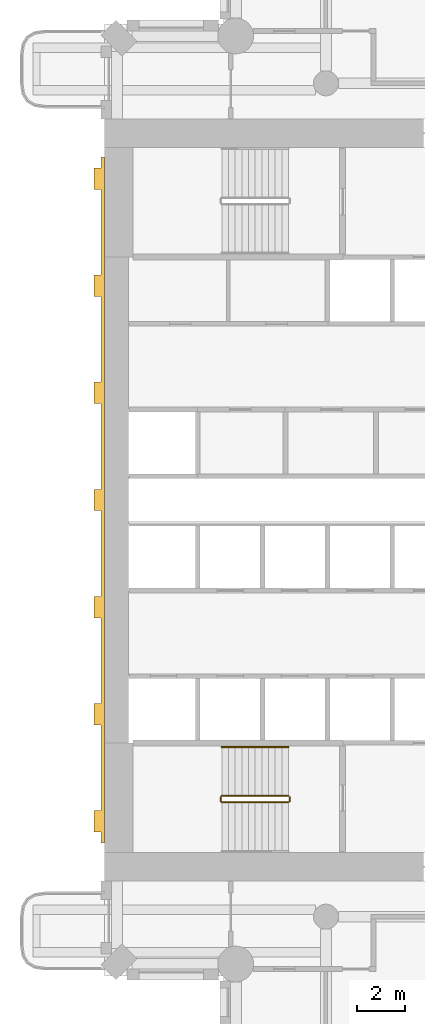
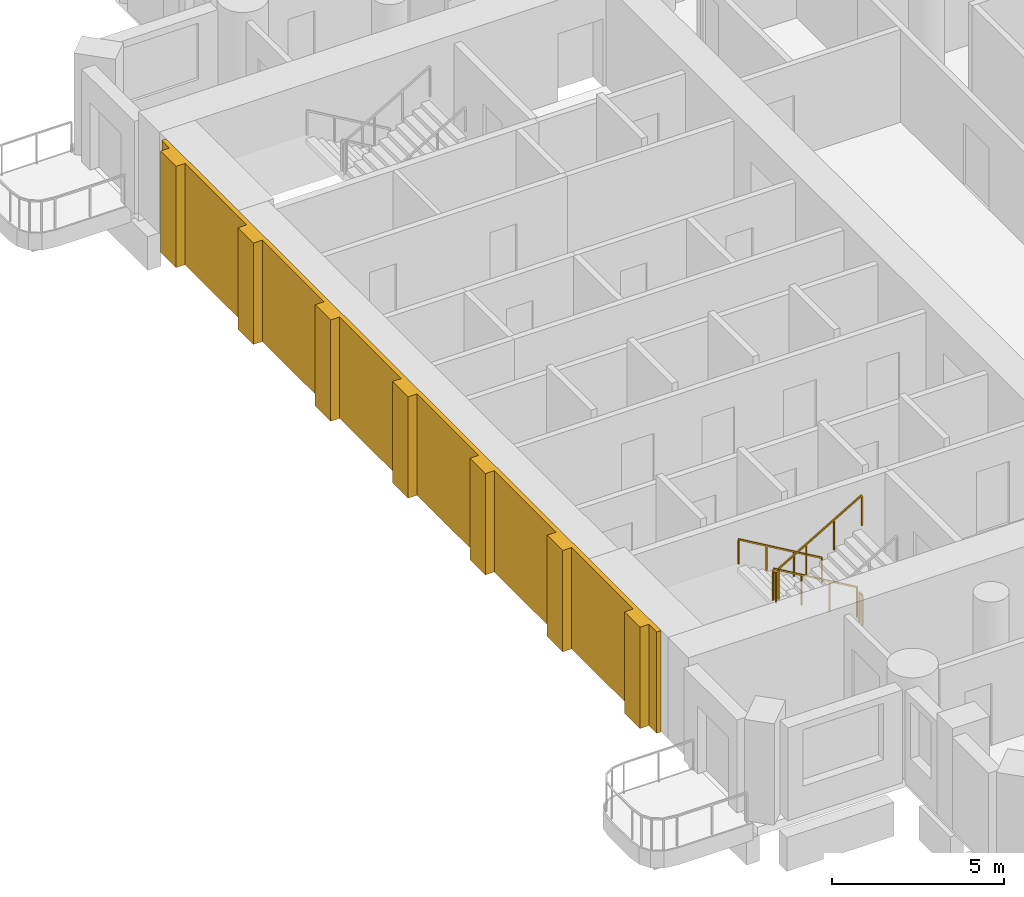
# One storey, part 14 of 20: 5 railings, 1 covering.
"""IFC4 building model written with IfcOpenShell, lengths in metres."""

import ifcopenshell
import ifcopenshell.guid

model = None  # the IFC model being written
_history = None  # IfcOwnerHistory: only IFC2X3 demands one
_inside = {}  # id of a spatial element -> (the spatial element, [elements in it])
_under = {}  # id of a project, library or spatial element -> (it, [spatial elements below it])
_declared = {}  # id of a project -> (the project, [libraries it declares])
_typed = {}  # id of a type object -> (the type object, [elements of that type])
_made_of = {}  # id of a material, layer set ... -> (it, [elements and type objects made of it])


def new_model(schema):
    """Start an empty IFC model of exactly this schema.

    Asked for "IFC4X3", IfcOpenShell would pick the latest addendum, in which some entities
    have other attributes; the version numbers below select the first issue.
    IFC2X3 requires an IfcOwnerHistory on every rooted entity: one is made here for all.
    """
    global model, _history
    if schema == "IFC4X3":
        model = ifcopenshell.file(schema_version=(4, 3, 0, 0))
    else:
        model = ifcopenshell.file(schema=schema)
    _inside.clear()
    _under.clear()
    _declared.clear()
    _typed.clear()
    _made_of.clear()
    _history = None
    if model.schema == "IFC2X3":
        org = make("IfcOrganization", Name="unknown")
        user = make(
            "IfcPersonAndOrganization",
            ThePerson=make("IfcPerson", FamilyName="unknown"),
            TheOrganization=org,
        )
        app = make(
            "IfcApplication",
            ApplicationDeveloper=org,
            Version="unknown",
            ApplicationFullName="unknown",
            ApplicationIdentifier="unknown",
        )
        _history = make(
            "IfcOwnerHistory",
            OwningUser=user,
            OwningApplication=app,
            ChangeAction="ADDED",
            CreationDate=0,
        )
    return model


def make(cls, **values):
    """One entity of the class cls with the attributes given. An attribute that is None is left unset."""
    return model.create_entity(
        cls, **{name: value for name, value in values.items() if value is not None}
    )


def rooted(cls, **values):
    """An entity with a GlobalId (a new one), such as an element, a storey or a relation."""
    return make(cls, GlobalId=ifcopenshell.guid.new(), OwnerHistory=_history, **values)


def si_unit(unit_type, name, prefix=None):
    """IfcSIUnit, for example si_unit("LENGTHUNIT", "METRE", prefix="MILLI")."""
    return make("IfcSIUnit", UnitType=unit_type, Prefix=prefix, Name=name)


def assignment(units):
    """IfcUnitAssignment: the units of a project."""
    return None if units is None else make("IfcUnitAssignment", Units=units)


def point(xyz):
    """IfcCartesianPoint."""
    return None if xyz is None else make("IfcCartesianPoint", Coordinates=xyz)


def direction(xyz):
    """IfcDirection."""
    return None if xyz is None else make("IfcDirection", DirectionRatios=xyz)


def frame(location, z_axis=None, x_axis=None):
    """IfcAxis2Placement3D, a coordinate frame: its origin and axes. An axis left out is left unset."""
    return make(
        "IfcAxis2Placement3D",
        Location=point(location),
        Axis=direction(z_axis),
        RefDirection=direction(x_axis),
    )


def frame_2d(location, x_axis=None):
    """IfcAxis2Placement2D, a coordinate frame in the plane: its origin and x axis."""
    return make(
        "IfcAxis2Placement2D", Location=point(location), RefDirection=direction(x_axis)
    )


def origin():
    """The frame at (0, 0, 0) with its axes left unset."""
    return frame((0.0, 0.0, 0.0))


def origin_2d():
    """The frame at (0, 0) in the plane with its x axis left unset."""
    return frame_2d((0.0, 0.0))


def place(relative_to, where):
    """IfcLocalPlacement: puts the frame where relative to a parent placement (None: the world)."""
    return make(
        "IfcLocalPlacement", PlacementRelTo=relative_to, RelativePlacement=where
    )


def context(
    kind, dimensions, precision=None, world=None, true_north=None, identifier=None
):
    """IfcGeometricRepresentationContext, for example the 3D "Model" context."""
    return make(
        "IfcGeometricRepresentationContext",
        ContextIdentifier=identifier,
        ContextType=kind,
        CoordinateSpaceDimension=dimensions,
        Precision=precision,
        WorldCoordinateSystem=world,
        TrueNorth=true_north,
    )


def subcontext(parent, identifier, kind, view, scale=None):
    """IfcGeometricRepresentationSubContext, for example "Body" below "Model"."""
    return make(
        "IfcGeometricRepresentationSubContext",
        ContextIdentifier=identifier,
        ContextType=kind,
        ParentContext=parent,
        TargetScale=scale,
        TargetView=view,
    )


def project(units=None, contexts=None):
    """IfcProject with its units and contexts."""
    return rooted(
        "IfcProject",
        Name="project",
        RepresentationContexts=contexts,
        UnitsInContext=assignment(units),
    )


def spatial(cls, under=None, at=None, **own):
    """A site, building, storey or space (cls), placed at a placement, below another one or the project."""
    s = rooted(cls, ObjectPlacement=at, **own)
    if under is not None:
        _under.setdefault(under.id(), (under, []))[1].append(s)
    return s


def polyline(points):
    """IfcPolyline through the points."""
    return make("IfcPolyline", Points=[point(p) for p in points])


def profile(cls, at=None, kind="AREA", **sizes):
    """A parametric profile (cls). Its sizes go by their IFC names, for example OverallWidth=200.0."""
    return make(cls, ProfileType=kind, Position=at, **sizes)


def rectangle(**sizes):
    """IfcRectangleProfileDef."""
    return profile("IfcRectangleProfileDef", **sizes)


def outline(outer, holes=None, kind="AREA"):
    """IfcArbitraryClosedProfileDef: a profile drawn as a closed curve; with holes, ...WithVoids."""
    if holes is None:
        return make("IfcArbitraryClosedProfileDef", ProfileType=kind, OuterCurve=outer)
    return make(
        "IfcArbitraryProfileDefWithVoids",
        ProfileType=kind,
        OuterCurve=outer,
        InnerCurves=holes,
    )


def extrude(swept, where, along, depth):
    """IfcExtrudedAreaSolid: the profile swept, set in the frame where, extruded along a direction by depth."""
    return make(
        "IfcExtrudedAreaSolid",
        SweptArea=swept,
        Position=where,
        ExtrudedDirection=direction(along),
        Depth=depth,
    )


def shape(context_of_items, identifier, shape_type, items):
    """IfcShapeRepresentation: the items that make up one representation, for example the "Body"."""
    return make(
        "IfcShapeRepresentation",
        ContextOfItems=context_of_items,
        RepresentationIdentifier=identifier,
        RepresentationType=shape_type,
        Items=items,
    )


def material(Name=None, Category=None):
    """IfcMaterial."""
    return make("IfcMaterial", Name=Name, Category=Category)


def layer(
    of_material, thickness, ventilated=None, Name=None, Category=None, Priority=None
):
    """IfcMaterialLayer: one layer of a wall or slab, of a material (None: an air gap)."""
    return make(
        "IfcMaterialLayer",
        Material=of_material,
        LayerThickness=thickness,
        IsVentilated=ventilated,
        Name=Name,
        Category=Category,
        Priority=Priority,
    )


def layer_set(layers, Name=None):
    """IfcMaterialLayerSet."""
    return make("IfcMaterialLayerSet", MaterialLayers=layers, LayerSetName=Name)


def made_of(thing, what):
    """Note that an element or type object is made of a material, layer set ...; save() writes the relation."""
    if what is not None:
        _made_of.setdefault(what.id(), (what, []))[1].append(thing)
    return thing


def type_object(cls, material=None, **own):
    """A type object (cls), such as IfcWallType, which elements share."""
    return made_of(rooted(cls, **own), material)


def element(
    cls,
    number,
    at=None,
    inside=None,
    cuts=None,
    type_object=None,
    material=None,
    context=None,
    identifier="Body",
    shape_type=None,
    held_by="IfcProductDefinitionShape",
    body=None,
    shapes=None,
    **own,
):
    """One element of the class cls, such as IfcWall. Its Tag is "e" and its number.

    at: its placement. inside: the storey or other place that contains it. cuts: it is an
    opening in that element (IfcRelVoidsElement). A single representation is given by context,
    identifier, shape_type and body (its items); several are given by shapes. held_by: the class
    of the entity that holds the representations. save() writes the other relations.
    """
    e = rooted(cls, Tag="e%d" % number, ObjectPlacement=at, **own)
    if body is not None:
        shapes = [shape(context, identifier, shape_type, body)]
    if shapes is not None:
        e.Representation = make(held_by, Representations=shapes)
    if inside is not None:
        _inside.setdefault(inside.id(), (inside, []))[1].append(e)
    if cuts is not None:
        rooted(
            "IfcRelVoidsElement", RelatingBuildingElement=cuts, RelatedOpeningElement=e
        )
    if type_object is not None:
        _typed.setdefault(type_object.id(), (type_object, []))[1].append(e)
    return made_of(e, material)


def aggregate(whole, parts):
    """IfcRelAggregates: a whole, such as a stair, and the parts it consists of."""
    return rooted("IfcRelAggregates", RelatingObject=whole, RelatedObjects=parts)


def save(model, path):
    """Write the relations noted so far, then the file.

    IfcRelAggregates (storeys below a building ...), IfcRelContainedInSpatialStructure (elements
    in a storey), IfcRelDefinesByType, IfcRelAssociatesMaterial and IfcRelDeclares: one each for
    every whole, place, type object, material and project.
    """
    for whole, parts in _under.values():
        aggregate(whole, parts)
    for where, things in _inside.values():
        rooted(
            "IfcRelContainedInSpatialStructure",
            RelatedElements=things,
            RelatingStructure=where,
        )
    for kind, things in _typed.values():
        rooted("IfcRelDefinesByType", RelatedObjects=things, RelatingType=kind)
    for what, things in _made_of.values():
        rooted("IfcRelAssociatesMaterial", RelatedObjects=things, RelatingMaterial=what)
    for by, libraries in _declared.values():
        rooted("IfcRelDeclares", RelatingContext=by, RelatedDefinitions=libraries)
    model.write(path)


model = new_model("IFC4")

# Units and contexts
model_context = context("Model", 3, precision=1e-05, world=origin(), true_north=direction((0.0, 1.0)))
body_context = subcontext(model_context, "Body", "Model", "MODEL_VIEW")
ifc_project = project(units=[si_unit("LENGTHUNIT", "METRE"), si_unit("AREAUNIT", "SQUARE_METRE"), si_unit("VOLUMEUNIT", "CUBIC_METRE"), si_unit("PLANEANGLEUNIT", "RADIAN"), si_unit("MASSUNIT", "GRAM", prefix="KILO")], contexts=[model_context])

# Site, building, storey
site_placement = place(None, origin())
site = spatial("IfcSite", under=ifc_project, at=site_placement, CompositionType="ELEMENT")
building_placement = place(site_placement, origin())
building = spatial("IfcBuilding", under=site, at=building_placement, Name="Cypress Arch Tower", CompositionType="ELEMENT")
storey_placement = place(building_placement, frame((0.0, 0.0, 131.10009765625)))
storey = spatial("IfcBuildingStorey", under=building, at=storey_placement, Name="L28", CompositionType="ELEMENT", Elevation=131.10009765625)

# Railings
ifc_material_1 = material(Name="Black powder-coated steel square bar 48 mm", Category="steel")
railing_type_1 = type_object("IfcRailingType", Name="Stair handrail HR1", PredefinedType="HANDRAIL", material=ifc_material_1)
railing_1_placement = place(storey_placement, frame((-22.27490234375, -10.375, 0.16357421875)))
element("IfcRailing", 1, at=railing_1_placement, inside=storey, type_object=railing_type_1, Name="L28 A stair handrail 1", PredefinedType="HANDRAIL", context=body_context, shape_type="SweptSolid", body=[
    extrude(rectangle(XDim=0.048095703125, YDim=0.048095703125, at=origin_2d()), frame((0.0, 0.0, 0.8759765625), z_axis=(-0.863393664356, 0.0, 0.504530851732), x_axis=(0.0, -1.0, 0.0)), (0.0, 0.0, 1.0), 3.2431640625),
    extrude(rectangle(XDim=0.0419921875, YDim=0.0419921875, at=origin_2d()), origin(), (0.0, 0.0, 1.0), 0.851806640625),
    extrude(rectangle(XDim=0.0419921875, YDim=0.0419921875, at=origin_2d()), frame((-0.933349609375, 0.0, 0.54541015625)), (0.0, 0.0, 1.0), 0.851806640625),
    extrude(rectangle(XDim=0.0419921875, YDim=0.0419921875, at=origin_2d()), frame((-1.86669921875, 0.0, 1.0908203125)), (0.0, 0.0, 1.0), 0.851806640625),
    extrude(rectangle(XDim=0.0419921875, YDim=0.0419921875, at=origin_2d()), frame((-2.800048828125, 0.0, 1.63623046875)), (0.0, 0.0, 1.0), 0.851806640625),
])
ifc_material_2 = material(Name="Black powder-coated steel balusters", Category="steel")
railing_type_2 = type_object("IfcRailingType", Name="Stair well guard G1", PredefinedType="GUARDRAIL", material=ifc_material_2)
railing_2_placement = place(storey_placement, frame((-22.27490234375, -12.425048828125, 0.16357421875)))
element("IfcRailing", 2, at=railing_2_placement, inside=storey, type_object=railing_type_2, Name="L28 A stair guard 1", PredefinedType="GUARDRAIL", context=body_context, shape_type="SweptSolid", body=[
    extrude(rectangle(XDim=0.048095703125, YDim=0.048095703125, at=origin_2d()), frame((0.0, 0.0, 1.076171875), z_axis=(-0.863393664356, 0.0, 0.504530851732), x_axis=(0.0, -1.0, 0.0)), (0.0, 0.0, 1.0), 3.2431640625),
    extrude(rectangle(XDim=0.0419921875, YDim=0.0419921875, at=origin_2d()), origin(), (0.0, 0.0, 1.0), 1.052001953125),
    extrude(rectangle(XDim=0.0419921875, YDim=0.0419921875, at=origin_2d()), frame((-0.933349609375, 0.0, 0.54541015625)), (0.0, 0.0, 1.0), 1.052001953125),
    extrude(rectangle(XDim=0.0419921875, YDim=0.0419921875, at=origin_2d()), frame((-1.86669921875, 0.0, 1.0908203125)), (0.0, 0.0, 1.0), 1.052001953125),
    extrude(rectangle(XDim=0.0419921875, YDim=0.0419921875, at=origin_2d()), frame((-2.800048828125, 0.0, 1.63623046875)), (0.0, 0.0, 1.0), 1.052001953125),
])
railing_3_placement = place(storey_placement, frame((-25.125, -12.47509765625, 1.7998046875)))
element("IfcRailing", 3, at=railing_3_placement, inside=storey, type_object=railing_type_2, Name="L28 A stair guard 2", PredefinedType="GUARDRAIL", context=body_context, shape_type="SweptSolid", body=[
    extrude(rectangle(XDim=0.048095703125, YDim=0.048095703125, at=origin_2d()), frame((0.0, 0.0, 1.076171875), z_axis=(0.0, -1.0, 0.0), x_axis=(1.0, 0.0, 0.0)), (0.0, 0.0, 1.0), 0.1748046875),
    extrude(rectangle(XDim=0.0419921875, YDim=0.0419921875, at=origin_2d()), origin(), (0.0, 0.0, 1.0), 1.052001953125),
    extrude(rectangle(XDim=0.0419921875, YDim=0.0419921875, at=origin_2d()), frame((0.0, -0.1748046875, 0.0)), (0.0, 0.0, 1.0), 1.052001953125),
])
railing_4_placement = place(storey_placement, frame((-25.074951171875, -12.699951171875, 1.963623046875)))
element("IfcRailing", 4, at=railing_4_placement, inside=storey, type_object=railing_type_2, Name="L28 A stair guard 3", PredefinedType="GUARDRAIL", context=body_context, shape_type="SweptSolid", body=[
    extrude(rectangle(XDim=0.048095703125, YDim=0.048095703125, at=origin_2d()), frame((0.0, 0.0, 1.076171875), z_axis=(0.863393664356, 0.0, 0.504530851732), x_axis=(0.0, 1.0, 0.0)), (0.0, 0.0, 1.0), 3.2431640625),
    extrude(rectangle(XDim=0.0419921875, YDim=0.0419921875, at=origin_2d()), origin(), (0.0, 0.0, 1.0), 1.052001953125),
    extrude(rectangle(XDim=0.0419921875, YDim=0.0419921875, at=origin_2d()), frame((0.933349609375, 0.0, 0.54541015625)), (0.0, 0.0, 1.0), 1.052001953125),
    extrude(rectangle(XDim=0.0419921875, YDim=0.0419921875, at=origin_2d()), frame((1.86669921875, 0.0, 1.0908203125)), (0.0, 0.0, 1.0), 1.052001953125),
    extrude(rectangle(XDim=0.0419921875, YDim=0.0419921875, at=origin_2d()), frame((2.800048828125, 0.0, 1.63623046875)), (0.0, 0.0, 1.0), 1.052001953125),
])
railing_5_placement = place(storey_placement, frame((-22.22509765625, -12.47509765625, 0.0)))
element("IfcRailing", 5, at=railing_5_placement, inside=storey, type_object=railing_type_2, Name="L28 A stair guard 4", PredefinedType="GUARDRAIL", context=body_context, shape_type="SweptSolid", body=[
    extrude(rectangle(XDim=0.048095703125, YDim=0.048095703125, at=origin_2d()), frame((0.0, 0.0, 1.076171875), z_axis=(0.0, -1.0, 0.0), x_axis=(1.0, 0.0, 0.0)), (0.0, 0.0, 1.0), 0.1748046875),
    extrude(rectangle(XDim=0.0419921875, YDim=0.0419921875, at=origin_2d()), origin(), (0.0, 0.0, 1.0), 1.052001953125),
    extrude(rectangle(XDim=0.0419921875, YDim=0.0419921875, at=origin_2d()), frame((0.0, -0.1748046875, 0.0)), (0.0, 0.0, 1.0), 1.052001953125),
])

# Covering
ifc_material_3 = material(Name="Brick (red buff blend)", Category="masonry")
ifc_layer = layer(ifc_material_3, 0.449951171875)
ifc_layer_set = layer_set([ifc_layer], Name="West face brick piers WP450")
covering_type = type_object("IfcCoveringType", Name="West face brick piers WP450", PredefinedType="CLADDING", material=ifc_layer_set)
covering_placement = place(storey_placement, origin())
element("IfcCovering", 6, at=covering_placement, inside=storey, type_object=covering_type, Name="West face brick piers L28", PredefinedType="CLADDING", context=body_context, shape_type="SweptSolid", body=[
    extrude(outline(polyline([(-30.14990234375, -13.050048828125), (-30.14990234375, -9.449951171875), (-30.449951171875, -9.449951171875), (-30.449951171875, -8.550048828125), (-30.14990234375, -8.550048828125), (-30.14990234375, -4.949951171875), (-30.449951171875, -4.949951171875), (-30.449951171875, -4.050048828125), (-30.14990234375, -4.050048828125), (-30.14990234375, -0.449951171875), (-30.449951171875, -0.449951171875), (-30.449951171875, 0.449951171875), (-30.14990234375, 0.449951171875), (-30.14990234375, 4.050048828125), (-30.449951171875, 4.050048828125), (-30.449951171875, 4.949951171875), (-30.14990234375, 4.949951171875), (-30.14990234375, 8.550048828125), (-30.449951171875, 8.550048828125), (-30.449951171875, 9.449951171875), (-30.14990234375, 9.449951171875), (-30.14990234375, 13.050048828125), (-30.449951171875, 13.050048828125), (-30.449951171875, 13.949951171875), (-30.14990234375, 13.949951171875), (-30.14990234375, 14.39990234375), (-30.0, 14.39990234375), (-30.0, -14.39990234375), (-30.14990234375, -14.39990234375), (-30.14990234375, -13.949951171875), (-30.449951171875, -13.949951171875), (-30.449951171875, -13.050048828125), (-30.14990234375, -13.050048828125)])), origin(), (0.0, 0.0, 1.0), 3.599853515625),
])

save(model, "model.ifc")
